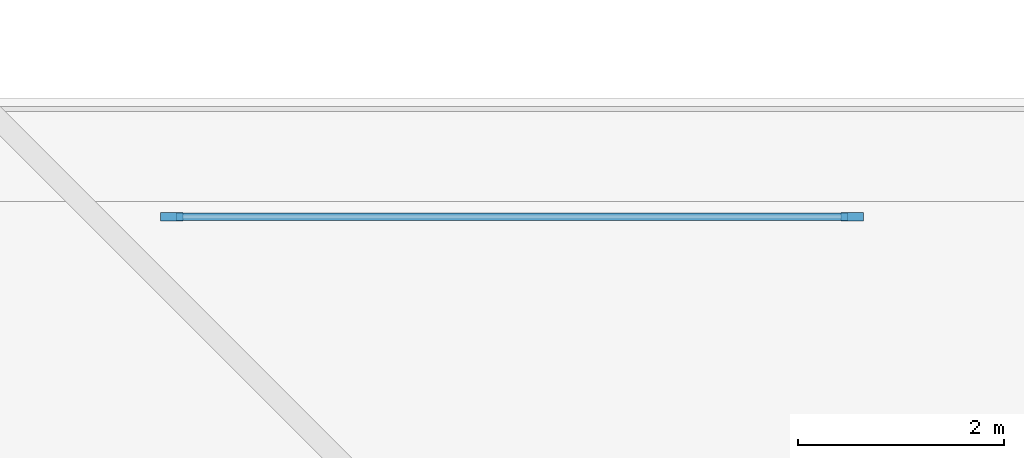
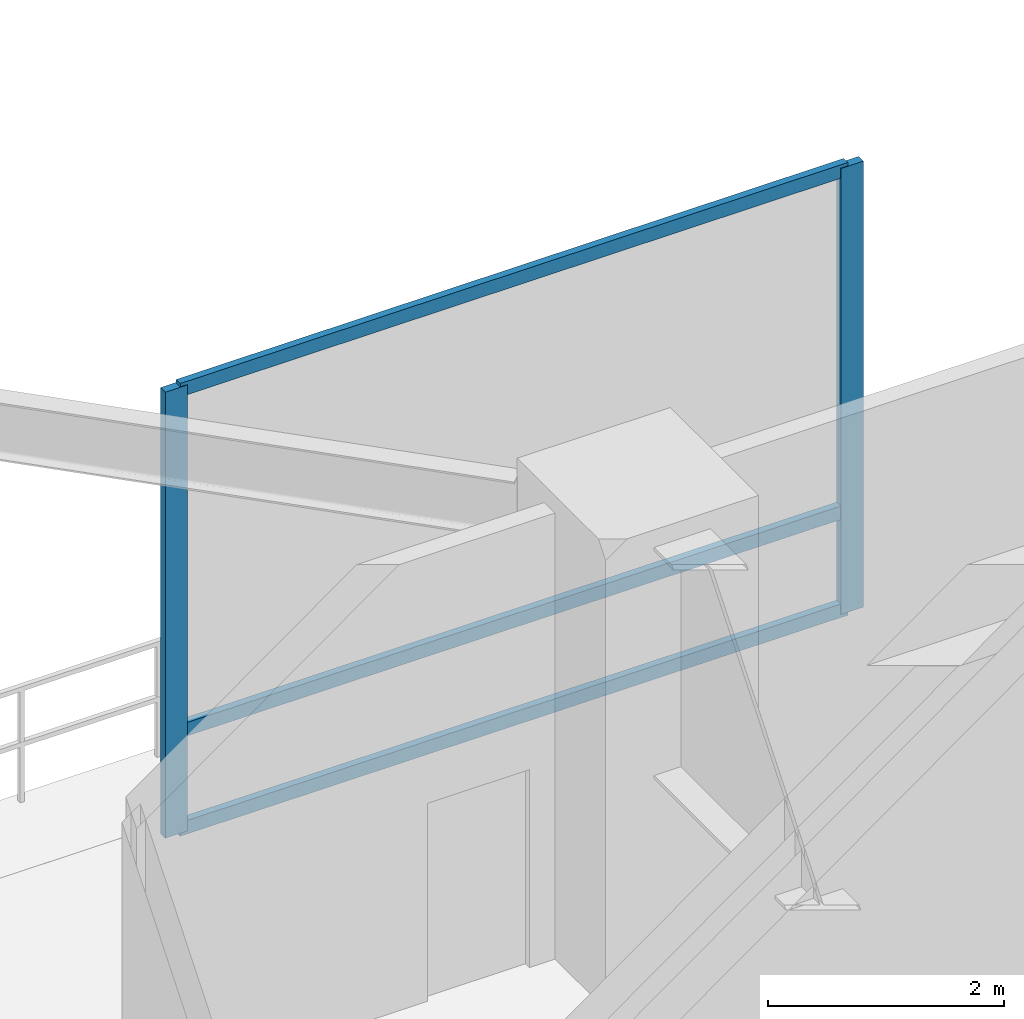
# One storey, part 8 of 19: 5 members, 1 element without a shape of its own.
"""IFC4 building model written with IfcOpenShell, lengths in metres."""

from ifc_helpers import new_model, si_unit, direction, frame, origin, origin_2d, place, context, subcontext, project, spatial, rectangle, extrude, source, transform, mapped, material, layer, layer_set, material_profile, profile_set, type_object, element, aggregate, save


model = new_model("IFC4")

# Units and contexts
model_context = context("Model", 3, precision=1e-05, world=origin(), true_north=direction((0.0, 1.0)))
body_context = subcontext(model_context, "Body", "Model", "MODEL_VIEW")
ifc_project = project(units=[si_unit("LENGTHUNIT", "METRE"), si_unit("AREAUNIT", "SQUARE_METRE"), si_unit("VOLUMEUNIT", "CUBIC_METRE"), si_unit("PLANEANGLEUNIT", "RADIAN"), si_unit("MASSUNIT", "GRAM", prefix="KILO"), si_unit("THERMODYNAMICTEMPERATUREUNIT", "KELVIN"), si_unit("POWERUNIT", "WATT")], contexts=[model_context])

# Site, building, storey
site_placement = place(None, origin())
site = spatial("IfcSite", under=ifc_project, at=site_placement, CompositionType="ELEMENT")
building_placement = place(site_placement, origin())
building = spatial("IfcBuilding", under=site, at=building_placement, Name="Qiaomeng Ring Towers", CompositionType="ELEMENT")
storey_placement = place(building_placement, frame((0.0, 0.0, 18.199951171875)))
storey = spatial("IfcBuildingStorey", under=building, at=storey_placement, Name="L04", CompositionType="ELEMENT", Elevation=18.199951171875)

# Curtain wall, members
ifc_material = material(Name="Fluorocarbon dark-grey aluminium", Category="aluminium")
ifc_layer = layer(ifc_material, 0.179931640625, Name="Fluorocarbon dark-grey aluminium")
ifc_layer_set = layer_set([ifc_layer], Name="Fluorocarbon dark-grey aluminium")
curtain_wall_type = type_object("IfcCurtainWallType", Name="ARC-CW-1", PredefinedType="NOTDEFINED", material=ifc_layer_set)
curtain_wall_placement = place(storey_placement, origin())
curtain_wall = element("IfcCurtainWall", 1, at=curtain_wall_placement, inside=storey, type_object=curtain_wall_type, Name="L04 Curtain Wall CW1", PredefinedType="NOTDEFINED")
ifc_material_profile_1 = material_profile(ifc_material, rectangle(XDim=0.070068359375, YDim=0.139892578125, at=origin_2d()), Name="ALU TRAN 70x140")
ifc_profile_set_1 = profile_set([ifc_material_profile_1], Name="Fluorocarbon dark-grey aluminium")
member_type_1 = type_object("IfcMemberType", Name="ARC-CWT-140", PredefinedType="USERDEFINED", material=ifc_profile_set_1)
shared_shape_1 = source(origin(), body_context, "Body", "SweptSolid", [
    extrude(rectangle(XDim=0.070068359375, YDim=0.139892578125, at=origin_2d()), origin(), (0.0, 0.0, 1.0), 6.5400390625),
])
member_1_placement = place(storey_placement, frame((34.580078125, 39.35009765625, 0.03515625), z_axis=(1.0, 0.0, 0.0), x_axis=(0.0, 1.0, 0.0)))
member_1 = element("IfcMember", 2, at=member_1_placement, type_object=member_type_1, Name="CW1 transom 1.1", ObjectType="TRANSOM", PredefinedType="USERDEFINED", context=body_context, shape_type="MappedRepresentation", body=[
    mapped(shared_shape_1, transform((0.0, 0.0, 0.0), x_axis=(1.0, 0.0, 0.0), y_axis=(0.0, 1.0, 0.0), z_axis=(0.0, 0.0, 1.0), scale=1.0)),
])
member_2_placement = place(storey_placement, frame((34.580078125, 39.35009765625, 1.050048828125), z_axis=(1.0, 0.0, 0.0), x_axis=(0.0, 1.0, 0.0)))
member_2 = element("IfcMember", 3, at=member_2_placement, type_object=member_type_1, Name="CW1 transom 1.2", ObjectType="TRANSOM", PredefinedType="USERDEFINED", context=body_context, shape_type="MappedRepresentation", body=[
    mapped(shared_shape_1, transform((0.0, 0.0, 0.0), x_axis=(1.0, 0.0, 0.0), y_axis=(0.0, 1.0, 0.0), z_axis=(0.0, 0.0, 1.0), scale=1.0)),
])
member_3_placement = place(storey_placement, frame((34.580078125, 39.35009765625, 4.5849609375), z_axis=(1.0, 0.0, 0.0), x_axis=(0.0, 1.0, 0.0)))
member_3 = element("IfcMember", 4, at=member_3_placement, type_object=member_type_1, Name="CW1 transom 1.3", ObjectType="TRANSOM", PredefinedType="USERDEFINED", context=body_context, shape_type="MappedRepresentation", body=[
    mapped(shared_shape_1, transform((0.0, 0.0, 0.0), x_axis=(1.0, 0.0, 0.0), y_axis=(0.0, 1.0, 0.0), z_axis=(0.0, 0.0, 1.0), scale=1.0)),
])
ifc_material_profile_2 = material_profile(ifc_material, rectangle(XDim=0.080078125, YDim=0.219970703125, at=origin_2d()), Name="ALU MULL 80x220")
ifc_profile_set_2 = profile_set([ifc_material_profile_2], Name="Fluorocarbon dark-grey aluminium")
member_type_2 = type_object("IfcMemberType", Name="ARC-CWM-180", PredefinedType="MULLION", material=ifc_profile_set_2)
shared_shape_2 = source(origin(), body_context, "Body", "SweptSolid", [
    extrude(rectangle(XDim=0.080078125, YDim=0.219970703125, at=origin_2d()), origin(), (0.0, 0.0, 1.0), 4.6201171875),
])
member_4_placement = place(storey_placement, frame((34.5400390625, 39.35009765625, 0.0), z_axis=(0.0, 0.0, 1.0), x_axis=(0.0, 1.0, 0.0)))
member_4 = element("IfcMember", 5, at=member_4_placement, type_object=member_type_2, Name="CW1 mullion 1", PredefinedType="MULLION", context=body_context, shape_type="MappedRepresentation", body=[
    mapped(shared_shape_2, transform((0.0, 0.0, 0.0), x_axis=(1.0, 0.0, 0.0), y_axis=(0.0, 1.0, 0.0), z_axis=(0.0, 0.0, 1.0), scale=1.0)),
])
member_5_placement = place(storey_placement, frame((41.159912109375, 39.35009765625, 0.0), z_axis=(0.0, 0.0, 1.0), x_axis=(0.0, 1.0, 0.0)))
member_5 = element("IfcMember", 6, at=member_5_placement, type_object=member_type_2, Name="CW1 mullion 2", PredefinedType="MULLION", context=body_context, shape_type="MappedRepresentation", body=[
    mapped(shared_shape_2, transform((0.0, 0.0, 0.0), x_axis=(1.0, 0.0, 0.0), y_axis=(0.0, 1.0, 0.0), z_axis=(0.0, 0.0, 1.0), scale=1.0)),
])
aggregate(curtain_wall, [member_4, member_5, member_1, member_2, member_3])

save(model, "model.ifc")
